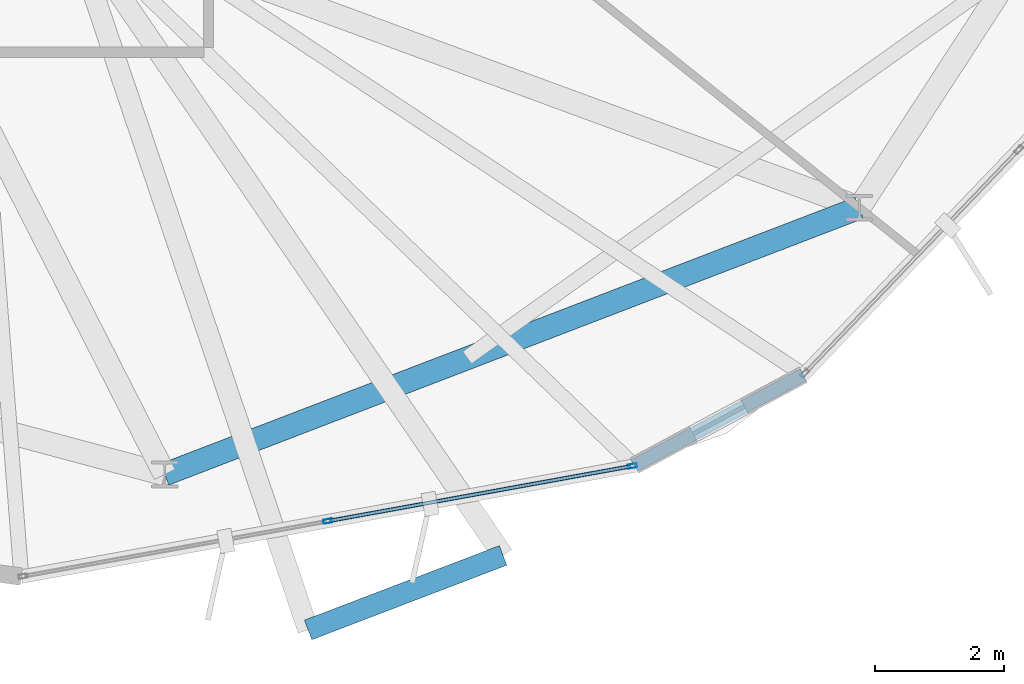
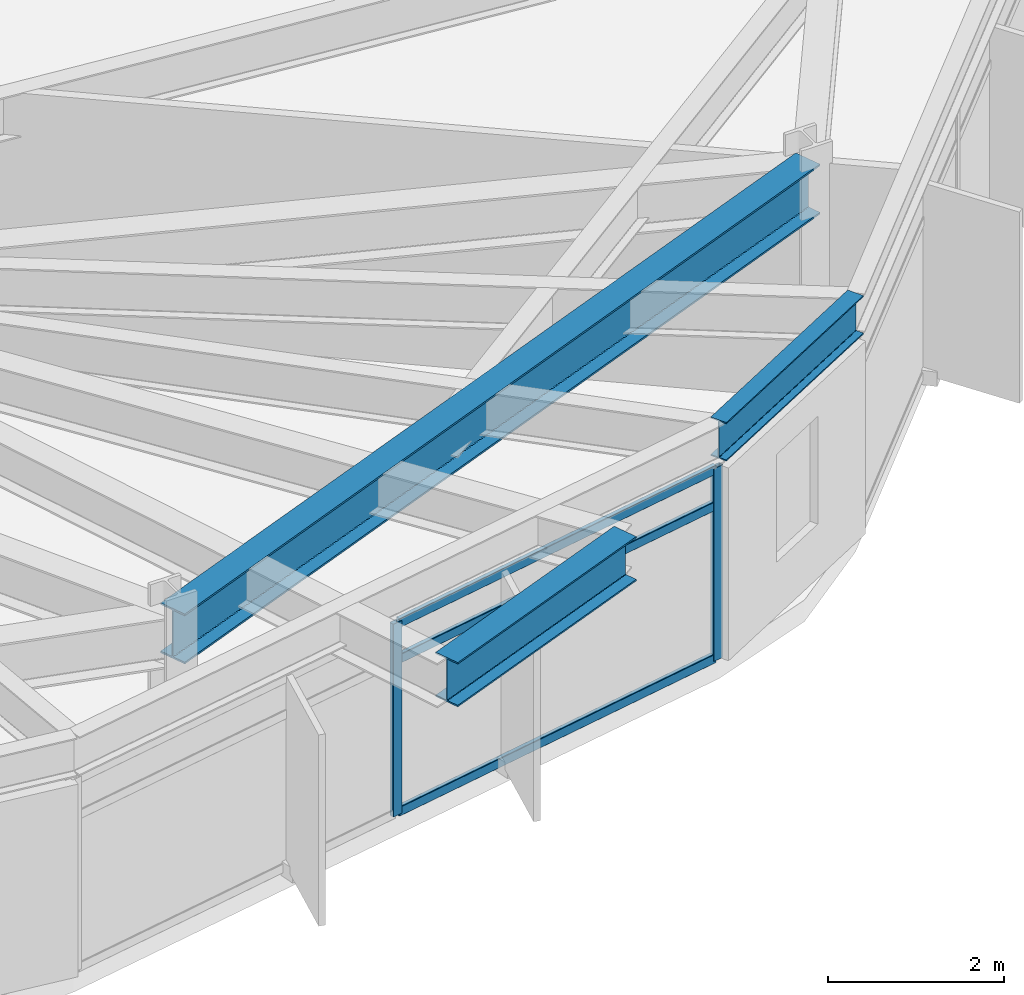
# One storey, part 7 of 27: 5 members, 3 beams, 1 element without a shape of its own.
"""IFC4 building model written with IfcOpenShell, lengths in metres."""

import ifcopenshell
import ifcopenshell.guid

model = None  # the IFC model being written
_history = None  # IfcOwnerHistory: only IFC2X3 demands one
_inside = {}  # id of a spatial element -> (the spatial element, [elements in it])
_under = {}  # id of a project, library or spatial element -> (it, [spatial elements below it])
_declared = {}  # id of a project -> (the project, [libraries it declares])
_typed = {}  # id of a type object -> (the type object, [elements of that type])
_made_of = {}  # id of a material, layer set ... -> (it, [elements and type objects made of it])


def new_model(schema):
    """Start an empty IFC model of exactly this schema.

    Asked for "IFC4X3", IfcOpenShell would pick the latest addendum, in which some entities
    have other attributes; the version numbers below select the first issue.
    IFC2X3 requires an IfcOwnerHistory on every rooted entity: one is made here for all.
    """
    global model, _history
    if schema == "IFC4X3":
        model = ifcopenshell.file(schema_version=(4, 3, 0, 0))
    else:
        model = ifcopenshell.file(schema=schema)
    _inside.clear()
    _under.clear()
    _declared.clear()
    _typed.clear()
    _made_of.clear()
    _history = None
    if model.schema == "IFC2X3":
        org = make("IfcOrganization", Name="unknown")
        user = make(
            "IfcPersonAndOrganization",
            ThePerson=make("IfcPerson", FamilyName="unknown"),
            TheOrganization=org,
        )
        app = make(
            "IfcApplication",
            ApplicationDeveloper=org,
            Version="unknown",
            ApplicationFullName="unknown",
            ApplicationIdentifier="unknown",
        )
        _history = make(
            "IfcOwnerHistory",
            OwningUser=user,
            OwningApplication=app,
            ChangeAction="ADDED",
            CreationDate=0,
        )
    return model


def make(cls, **values):
    """One entity of the class cls with the attributes given. An attribute that is None is left unset."""
    return model.create_entity(
        cls, **{name: value for name, value in values.items() if value is not None}
    )


def rooted(cls, **values):
    """An entity with a GlobalId (a new one), such as an element, a storey or a relation."""
    return make(cls, GlobalId=ifcopenshell.guid.new(), OwnerHistory=_history, **values)


def si_unit(unit_type, name, prefix=None):
    """IfcSIUnit, for example si_unit("LENGTHUNIT", "METRE", prefix="MILLI")."""
    return make("IfcSIUnit", UnitType=unit_type, Prefix=prefix, Name=name)


def assignment(units):
    """IfcUnitAssignment: the units of a project."""
    return None if units is None else make("IfcUnitAssignment", Units=units)


def point(xyz):
    """IfcCartesianPoint."""
    return None if xyz is None else make("IfcCartesianPoint", Coordinates=xyz)


def direction(xyz):
    """IfcDirection."""
    return None if xyz is None else make("IfcDirection", DirectionRatios=xyz)


def frame(location, z_axis=None, x_axis=None):
    """IfcAxis2Placement3D, a coordinate frame: its origin and axes. An axis left out is left unset."""
    return make(
        "IfcAxis2Placement3D",
        Location=point(location),
        Axis=direction(z_axis),
        RefDirection=direction(x_axis),
    )


def frame_2d(location, x_axis=None):
    """IfcAxis2Placement2D, a coordinate frame in the plane: its origin and x axis."""
    return make(
        "IfcAxis2Placement2D", Location=point(location), RefDirection=direction(x_axis)
    )


def origin():
    """The frame at (0, 0, 0) with its axes left unset."""
    return frame((0.0, 0.0, 0.0))


def origin_2d():
    """The frame at (0, 0) in the plane with its x axis left unset."""
    return frame_2d((0.0, 0.0))


def place(relative_to, where):
    """IfcLocalPlacement: puts the frame where relative to a parent placement (None: the world)."""
    return make(
        "IfcLocalPlacement", PlacementRelTo=relative_to, RelativePlacement=where
    )


def context(
    kind, dimensions, precision=None, world=None, true_north=None, identifier=None
):
    """IfcGeometricRepresentationContext, for example the 3D "Model" context."""
    return make(
        "IfcGeometricRepresentationContext",
        ContextIdentifier=identifier,
        ContextType=kind,
        CoordinateSpaceDimension=dimensions,
        Precision=precision,
        WorldCoordinateSystem=world,
        TrueNorth=true_north,
    )


def subcontext(parent, identifier, kind, view, scale=None):
    """IfcGeometricRepresentationSubContext, for example "Body" below "Model"."""
    return make(
        "IfcGeometricRepresentationSubContext",
        ContextIdentifier=identifier,
        ContextType=kind,
        ParentContext=parent,
        TargetScale=scale,
        TargetView=view,
    )


def project(units=None, contexts=None):
    """IfcProject with its units and contexts."""
    return rooted(
        "IfcProject",
        Name="project",
        RepresentationContexts=contexts,
        UnitsInContext=assignment(units),
    )


def spatial(cls, under=None, at=None, **own):
    """A site, building, storey or space (cls), placed at a placement, below another one or the project."""
    s = rooted(cls, ObjectPlacement=at, **own)
    if under is not None:
        _under.setdefault(under.id(), (under, []))[1].append(s)
    return s


def profile(cls, at=None, kind="AREA", **sizes):
    """A parametric profile (cls). Its sizes go by their IFC names, for example OverallWidth=200.0."""
    return make(cls, ProfileType=kind, Position=at, **sizes)


def hollow_rectangle(**sizes):
    """IfcRectangleHollowProfileDef."""
    return profile("IfcRectangleHollowProfileDef", **sizes)


def i_section(**sizes):
    """IfcIShapeProfileDef."""
    return profile("IfcIShapeProfileDef", **sizes)


def extrude(swept, where, along, depth):
    """IfcExtrudedAreaSolid: the profile swept, set in the frame where, extruded along a direction by depth."""
    return make(
        "IfcExtrudedAreaSolid",
        SweptArea=swept,
        Position=where,
        ExtrudedDirection=direction(along),
        Depth=depth,
    )


def shape(context_of_items, identifier, shape_type, items):
    """IfcShapeRepresentation: the items that make up one representation, for example the "Body"."""
    return make(
        "IfcShapeRepresentation",
        ContextOfItems=context_of_items,
        RepresentationIdentifier=identifier,
        RepresentationType=shape_type,
        Items=items,
    )


def material(Name=None, Category=None):
    """IfcMaterial."""
    return make("IfcMaterial", Name=Name, Category=Category)


def layer(
    of_material, thickness, ventilated=None, Name=None, Category=None, Priority=None
):
    """IfcMaterialLayer: one layer of a wall or slab, of a material (None: an air gap)."""
    return make(
        "IfcMaterialLayer",
        Material=of_material,
        LayerThickness=thickness,
        IsVentilated=ventilated,
        Name=Name,
        Category=Category,
        Priority=Priority,
    )


def layer_set(layers, Name=None):
    """IfcMaterialLayerSet."""
    return make("IfcMaterialLayerSet", MaterialLayers=layers, LayerSetName=Name)


def material_profile(
    of_material, cross_section, Name=None, Category=None, Priority=None
):
    """IfcMaterialProfile: a cross section and its material."""
    return make(
        "IfcMaterialProfile",
        Name=Name,
        Material=of_material,
        Profile=cross_section,
        Priority=Priority,
        Category=Category,
    )


def profile_set(profiles, Name=None, composite=None):
    """IfcMaterialProfileSet."""
    return make(
        "IfcMaterialProfileSet",
        Name=Name,
        MaterialProfiles=profiles,
        CompositeProfile=composite,
    )


def made_of(thing, what):
    """Note that an element or type object is made of a material, layer set ...; save() writes the relation."""
    if what is not None:
        _made_of.setdefault(what.id(), (what, []))[1].append(thing)
    return thing


def type_object(cls, material=None, **own):
    """A type object (cls), such as IfcWallType, which elements share."""
    return made_of(rooted(cls, **own), material)


def element(
    cls,
    number,
    at=None,
    inside=None,
    cuts=None,
    type_object=None,
    material=None,
    context=None,
    identifier="Body",
    shape_type=None,
    held_by="IfcProductDefinitionShape",
    body=None,
    shapes=None,
    **own,
):
    """One element of the class cls, such as IfcWall. Its Tag is "e" and its number.

    at: its placement. inside: the storey or other place that contains it. cuts: it is an
    opening in that element (IfcRelVoidsElement). A single representation is given by context,
    identifier, shape_type and body (its items); several are given by shapes. held_by: the class
    of the entity that holds the representations. save() writes the other relations.
    """
    e = rooted(cls, Tag="e%d" % number, ObjectPlacement=at, **own)
    if body is not None:
        shapes = [shape(context, identifier, shape_type, body)]
    if shapes is not None:
        e.Representation = make(held_by, Representations=shapes)
    if inside is not None:
        _inside.setdefault(inside.id(), (inside, []))[1].append(e)
    if cuts is not None:
        rooted(
            "IfcRelVoidsElement", RelatingBuildingElement=cuts, RelatedOpeningElement=e
        )
    if type_object is not None:
        _typed.setdefault(type_object.id(), (type_object, []))[1].append(e)
    return made_of(e, material)


def aggregate(whole, parts):
    """IfcRelAggregates: a whole, such as a stair, and the parts it consists of."""
    return rooted("IfcRelAggregates", RelatingObject=whole, RelatedObjects=parts)


def save(model, path):
    """Write the relations noted so far, then the file.

    IfcRelAggregates (storeys below a building ...), IfcRelContainedInSpatialStructure (elements
    in a storey), IfcRelDefinesByType, IfcRelAssociatesMaterial and IfcRelDeclares: one each for
    every whole, place, type object, material and project.
    """
    for whole, parts in _under.values():
        aggregate(whole, parts)
    for where, things in _inside.values():
        rooted(
            "IfcRelContainedInSpatialStructure",
            RelatedElements=things,
            RelatingStructure=where,
        )
    for kind, things in _typed.values():
        rooted("IfcRelDefinesByType", RelatedObjects=things, RelatingType=kind)
    for what, things in _made_of.values():
        rooted("IfcRelAssociatesMaterial", RelatedObjects=things, RelatingMaterial=what)
    for by, libraries in _declared.values():
        rooted("IfcRelDeclares", RelatingContext=by, RelatedDefinitions=libraries)
    model.write(path)


model = new_model("IFC4")

# Units and contexts
model_context = context("Model", 3, precision=1e-05, world=origin(), true_north=direction((0.0, 1.0)))
body_context = subcontext(model_context, "Body", "Model", "MODEL_VIEW")
ifc_project = project(units=[si_unit("LENGTHUNIT", "METRE"), si_unit("AREAUNIT", "SQUARE_METRE"), si_unit("VOLUMEUNIT", "CUBIC_METRE"), si_unit("PLANEANGLEUNIT", "RADIAN"), si_unit("MASSUNIT", "GRAM", prefix="KILO")], contexts=[model_context])

# Site, building, storey
site_placement = place(None, origin())
site = spatial("IfcSite", under=ifc_project, at=site_placement, CompositionType="ELEMENT")
building_placement = place(site_placement, origin())
building = spatial("IfcBuilding", under=site, at=building_placement, Name="Soratama Intermodal Tower", CompositionType="ELEMENT")
storey_placement = place(building_placement, frame((0.0, 0.0, 208.60009765625)))
storey = spatial("IfcBuildingStorey", under=building, at=storey_placement, Name="L52", CompositionType="ELEMENT", Elevation=208.60009765625)

# Beams
ifc_material_1 = material(Name="Structural steel ASTM A992 Grade 50", Category="steel")
ifc_material_profile_1 = material_profile(ifc_material_1, i_section(OverallWidth=0.324951171875, OverallDepth=0.615966796875, WebThickness=0.013916015625, FlangeThickness=0.021484375, FilletRadius=0.013916015625, at=origin_2d()), Name="W24X117")
ifc_profile_set_1 = profile_set([ifc_material_profile_1], Name="Structural steel ASTM A992 Grade 50")
beam_type_1 = type_object("IfcBeamType", Name="BM-CANT-W24X117", PredefinedType="BEAM", material=ifc_profile_set_1)
beam_1_placement = place(storey_placement, frame((48.18896484375, 4.02294921875, 2.991943359375), z_axis=(0.934104568506, 0.356999516941, 0.0), x_axis=(-0.356999516941, 0.934104568506, 0.0)))
element("IfcBeam", 1, at=beam_1_placement, inside=storey, type_object=beam_type_1, Name="BM-L52-CBHDR-3", PredefinedType="BEAM", context=body_context, shape_type="SweptSolid", body=[
    extrude(i_section(OverallWidth=0.324951171875, OverallDepth=0.615966796875, WebThickness=0.013916015625, FlangeThickness=0.021484375, FilletRadius=0.013916015625, at=origin_2d()), origin(), (0.0, 0.0, 1.0), 3.224365234375),
])
ifc_material_2 = material(Name="Structural steel ASTM A992 Grade 50", Category="steel")
ifc_material_profile_2 = material_profile(ifc_material_2, i_section(OverallWidth=0.35498046875, OverallDepth=0.695068359375, WebThickness=0.015380859375, FlangeThickness=0.02490234375, FilletRadius=0.01611328125, at=origin_2d()), Name="W27X146")
ifc_profile_set_2 = profile_set([ifc_material_profile_2], Name="Structural steel ASTM A992 Grade 50")
beam_type_2 = type_object("IfcBeamType", Name="BM-RING-W27X146", PredefinedType="BEAM", material=ifc_profile_set_2)
beam_2_placement = place(storey_placement, frame((45.972900390625, 6.426025390625, 2.952392578125), z_axis=(0.933603724339, 0.358307250695, 0.0), x_axis=(-0.358307250695, 0.933603724339, 0.0)))
element("IfcBeam", 2, at=beam_2_placement, inside=storey, type_object=beam_type_2, Name="BM-L52-RING-08", PredefinedType="BEAM", context=body_context, shape_type="SweptSolid", body=[
    extrude(i_section(OverallWidth=0.35498046875, OverallDepth=0.695068359375, WebThickness=0.015380859375, FlangeThickness=0.02490234375, FilletRadius=0.01611328125, at=origin_2d()), origin(), (0.0, 0.0, 1.0), 11.495361328125),
])
ifc_material_3 = material(Name="Structural steel ASTM A992 Grade 50", Category="steel")
ifc_material_profile_3 = material_profile(ifc_material_3, i_section(OverallWidth=0.2099609375, OverallDepth=0.537109375, WebThickness=0.010986328125, FlangeThickness=0.017333984375, FilletRadius=0.012939453125, at=origin_2d()), Name="W21X68")
ifc_profile_set_3 = profile_set([ifc_material_profile_3], Name="Structural steel ASTM A992 Grade 50")
beam_type_3 = type_object("IfcBeamType", Name="BM-SPN-W21X68", PredefinedType="SPANDREL", material=ifc_profile_set_3)
beam_3_placement = place(storey_placement, frame((53.22802734375, 6.56103515625, 3.031494140625), z_axis=(0.880888313693, 0.473324179394, 0.0), x_axis=(-0.473324179394, 0.880888313693, 0.0)))
element("IfcBeam", 3, at=beam_3_placement, inside=storey, type_object=beam_type_3, Name="BS-L52-CRN07", PredefinedType="SPANDREL", context=body_context, shape_type="SweptSolid", body=[
    extrude(i_section(OverallWidth=0.2099609375, OverallDepth=0.537109375, WebThickness=0.010986328125, FlangeThickness=0.017333984375, FilletRadius=0.012939453125, at=origin_2d()), origin(), (0.0, 0.0, 1.0), 2.96630859375),
])

# Curtain wall, members
ifc_material_4 = material(Name="Double-glazed aluminium curtain wall", Category="aluminium")
ifc_layer = layer(ifc_material_4, 0.159912109375)
ifc_layer_set = layer_set([ifc_layer], Name="Double-glazed aluminium curtain wall")
curtain_wall_type = type_object("IfcCurtainWallType", Name="CW-SYS-5", PredefinedType="NOTDEFINED", material=ifc_layer_set)
curtain_wall_placement = place(storey_placement, origin())
curtain_wall = element("IfcCurtainWall", 4, at=curtain_wall_placement, inside=storey, type_object=curtain_wall_type, Name="L52 Faceted Curtain Wall F07", PredefinedType="NOTDEFINED")
ifc_material_5 = material(Name="Anodised aluminium AA 6063-T6", Category="aluminium")
ifc_material_profile_4 = material_profile(ifc_material_5, hollow_rectangle(XDim=0.06494140625, YDim=0.139892578125, WallThickness=0.0048828125, InnerFilletRadius=0.0048828125, OuterFilletRadius=0.010009765625, at=origin_2d()), Name="CWM140X65X5")
ifc_profile_set_4 = profile_set([ifc_material_profile_4], Name="Anodised aluminium AA 6063-T6")
member_type_1 = type_object("IfcMemberType", Name="MT-CWM-5", PredefinedType="MULLION", material=ifc_profile_set_4)
member_1_placement = place(storey_placement, frame((48.492919921875, 5.70361328125, 0.0), z_axis=(0.0, 0.0, 1.0), x_axis=(-0.178115482323, 0.984009590887, 0.0)))
member_1 = element("IfcMember", 5, at=member_1_placement, type_object=member_type_1, Name="CW-5 mullion 2", PredefinedType="MULLION", context=body_context, shape_type="SweptSolid", body=[
    extrude(hollow_rectangle(XDim=0.06494140625, YDim=0.139892578125, WallThickness=0.0048828125, InnerFilletRadius=0.0048828125, OuterFilletRadius=0.010009765625, at=origin_2d()), origin(), (0.0, 0.0, 1.0), 2.678955078125),
])
member_2_placement = place(storey_placement, frame((53.198486328125, 6.555419921875, 0.0), z_axis=(0.0, 0.0, 1.0), x_axis=(-0.178115482323, 0.984009590887, 0.0)))
member_2 = element("IfcMember", 6, at=member_2_placement, type_object=member_type_1, Name="CW-5 mullion 3", PredefinedType="MULLION", context=body_context, shape_type="SweptSolid", body=[
    extrude(hollow_rectangle(XDim=0.06494140625, YDim=0.139892578125, WallThickness=0.0048828125, InnerFilletRadius=0.0048828125, OuterFilletRadius=0.010009765625, at=origin_2d()), origin(), (0.0, 0.0, 1.0), 2.678955078125),
])
ifc_material_6 = material(Name="Anodised aluminium AA 6063-T6", Category="aluminium")
ifc_material_profile_5 = material_profile(ifc_material_6, hollow_rectangle(XDim=0.06005859375, YDim=0.1298828125, WallThickness=0.0048828125, InnerFilletRadius=0.0048828125, OuterFilletRadius=0.010009765625, at=origin_2d()), Name="CWT130X60X5")
ifc_profile_set_5 = profile_set([ifc_material_profile_5], Name="Anodised aluminium AA 6063-T6")
member_type_2 = type_object("IfcMemberType", Name="TT-CWT-2", PredefinedType="USERDEFINED", material=ifc_profile_set_5)
member_3_placement = place(storey_placement, frame((48.522216796875, 5.708984375, 0.02978515625), z_axis=(0.98401105442, 0.178107396757, 0.0), x_axis=(-0.178107396757, 0.98401105442, 0.0)))
member_3 = element("IfcMember", 7, at=member_3_placement, type_object=member_type_2, Name="CW-5 transom 2.1", ObjectType="TRANSOM", PredefinedType="USERDEFINED", context=body_context, shape_type="SweptSolid", body=[
    extrude(hollow_rectangle(XDim=0.06005859375, YDim=0.1298828125, WallThickness=0.0048828125, InnerFilletRadius=0.0048828125, OuterFilletRadius=0.010009765625, at=origin_2d()), origin(), (0.0, 0.0, 1.0), 4.72216796875),
])
member_4_placement = place(storey_placement, frame((48.522216796875, 5.708984375, 2.14990234375), z_axis=(0.98401105442, 0.178107396757, 0.0), x_axis=(-0.178107396757, 0.98401105442, 0.0)))
member_4 = element("IfcMember", 8, at=member_4_placement, type_object=member_type_2, Name="CW-5 transom 2.2", ObjectType="TRANSOM", PredefinedType="USERDEFINED", context=body_context, shape_type="SweptSolid", body=[
    extrude(hollow_rectangle(XDim=0.06005859375, YDim=0.1298828125, WallThickness=0.0048828125, InnerFilletRadius=0.0048828125, OuterFilletRadius=0.010009765625, at=origin_2d()), origin(), (0.0, 0.0, 1.0), 4.72216796875),
])
member_5_placement = place(storey_placement, frame((48.522216796875, 5.708984375, 2.64892578125), z_axis=(0.98401105442, 0.178107396757, 0.0), x_axis=(-0.178107396757, 0.98401105442, 0.0)))
member_5 = element("IfcMember", 9, at=member_5_placement, type_object=member_type_2, Name="CW-5 transom 2.3", ObjectType="TRANSOM", PredefinedType="USERDEFINED", context=body_context, shape_type="SweptSolid", body=[
    extrude(hollow_rectangle(XDim=0.06005859375, YDim=0.1298828125, WallThickness=0.0048828125, InnerFilletRadius=0.0048828125, OuterFilletRadius=0.010009765625, at=origin_2d()), origin(), (0.0, 0.0, 1.0), 4.72216796875),
])
aggregate(curtain_wall, [member_1, member_2, member_3, member_4, member_5])

save(model, "model.ifc")
